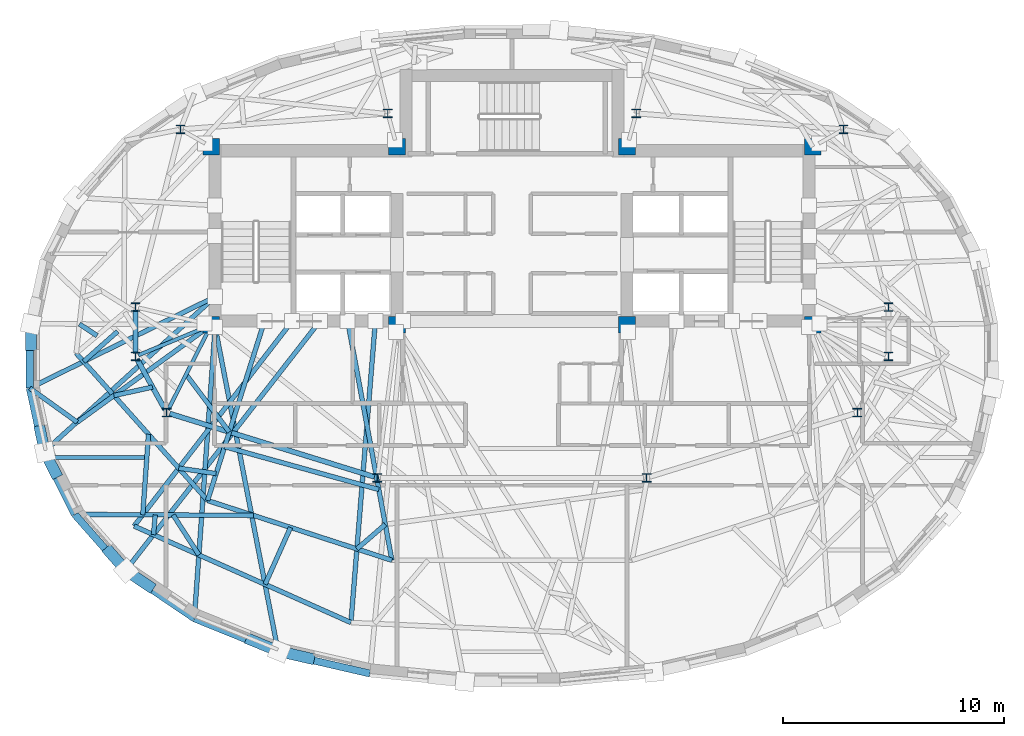
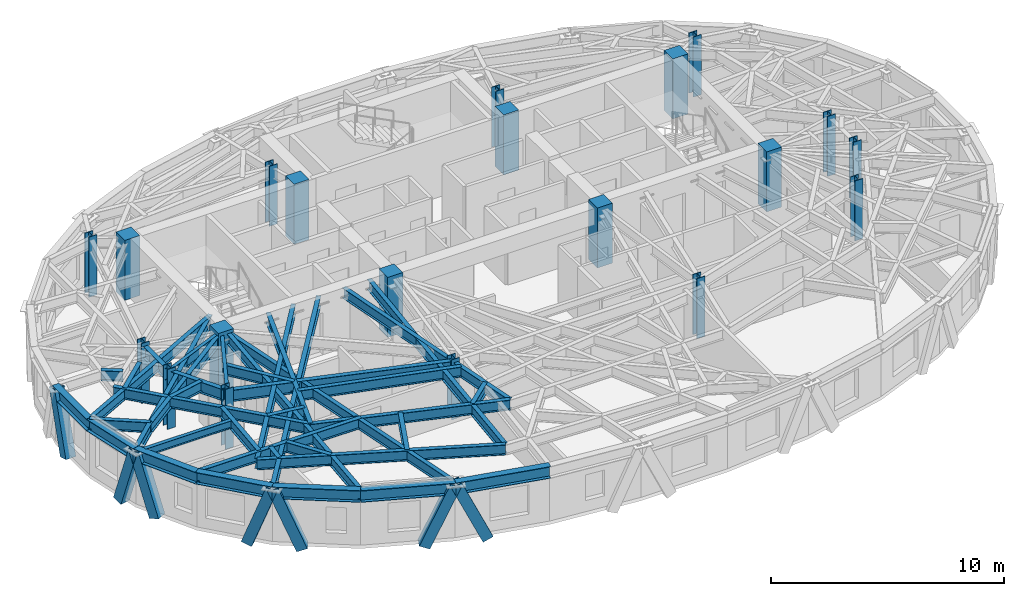
# One storey, part 1 of 13: 39 beams, 20 columns, 7 members.
"""IFC4 building model written with IfcOpenShell, lengths in metres."""

from ifc_helpers import new_model, si_unit, direction, frame, origin, origin_2d, place, context, subcontext, project, spatial, rectangle, hollow_rectangle, i_section, extrude, material, material_profile, profile_set, type_object, element, save


model = new_model("IFC4")

# Units and contexts
model_context = context("Model", 3, precision=1e-05, world=origin(), true_north=direction((0.0, 1.0)))
body_context = subcontext(model_context, "Body", "Model", "MODEL_VIEW")
ifc_project = project(units=[si_unit("LENGTHUNIT", "METRE"), si_unit("AREAUNIT", "SQUARE_METRE"), si_unit("VOLUMEUNIT", "CUBIC_METRE"), si_unit("PLANEANGLEUNIT", "RADIAN"), si_unit("MASSUNIT", "GRAM", prefix="KILO")], contexts=[model_context])

# Site, building, storey
site_placement = place(None, origin())
site = spatial("IfcSite", under=ifc_project, at=site_placement, CompositionType="ELEMENT")
building_placement = place(site_placement, origin())
building = spatial("IfcBuilding", under=site, at=building_placement, Name="Keldmark Tower", CompositionType="ELEMENT")
storey_placement = place(building_placement, frame((0.0, 0.0, 241.5)))
storey = spatial("IfcBuildingStorey", under=building, at=storey_placement, Name="L68", CompositionType="ELEMENT", Elevation=241.5)

# Columns
ifc_material_1 = material(Name="Concrete C50/60", Category="concrete")
ifc_material_profile_1 = material_profile(ifc_material_1, rectangle(XDim=0.75, YDim=0.75, at=origin_2d()), Name="RC750X750")
ifc_profile_set_1 = profile_set([ifc_material_profile_1], Name="Concrete C50/60")
column_type_1 = type_object("IfcColumnType", Name="Core Boundary Column RC750", PredefinedType="PILASTER", material=ifc_profile_set_1)
for number, where, z_axis, x_axis, name in (
    (1, (-13.60009765625, 1.39990234375, 0.0), (0.0, 0.0, 1.0), (1.0, 0.0, 0.0), "L68 Core Boundary Column CC-W1"),
    (2, (-13.60009765625, 9.449951171875, 0.0), (0.0, 0.0, 1.0), (1.0, 0.0, 0.0), "L68 Core Boundary Column CC-W2"),
    (3, (-5.199951171875, 1.39990234375, 0.0), (0.0, 0.0, 1.0), (1.0, 0.0, 0.0), "L68 Core Boundary Column CC-W3"),
    (4, (-5.199951171875, 9.449951171875, 0.0), (0.0, 0.0, 1.0), (1.0, 0.0, 0.0), "L68 Core Boundary Column CC-W4"),
    (5, (5.199951171875, 1.39990234375, 0.0), (0.0, 0.0, 1.0), (1.0, 0.0, 0.0), "L68 Core Boundary Column CC-E1"),
    (6, (5.199951171875, 9.449951171875, 0.0), (0.0, 0.0, 1.0), (1.0, 0.0, 0.0), "L68 Core Boundary Column CC-E2"),
    (7, (13.60009765625, 1.39990234375, 0.0), (0.0, 0.0, 1.0), (1.0, 0.0, 0.0), "L68 Core Boundary Column CC-E3"),
    (8, (13.60009765625, 9.449951171875, 0.0), (0.0, 0.0, 1.0), (1.0, 0.0, 0.0), "L68 Core Boundary Column CC-E4"),
):
    element("IfcColumn", number, at=place(storey_placement, frame(where, z_axis=z_axis, x_axis=x_axis)), inside=storey, type_object=column_type_1, Name=name, PredefinedType="PILASTER", context=body_context, shape_type="SweptSolid", body=[
        extrude(rectangle(XDim=0.75, YDim=0.75, at=origin_2d()), origin(), (0.0, 0.0, 1.0), 3.14990234375),
    ])
ifc_material_2 = material(Name="Steel ASTM A992 Grade 50", Category="steel")
ifc_material_profile_2 = material_profile(ifc_material_2, i_section(OverallWidth=0.39892578125, OverallDepth=0.386962890625, WebThickness=0.02099609375, FlangeThickness=0.033203125, at=origin_2d()), Name="W14X176")
ifc_profile_set_2 = profile_set([ifc_material_profile_2], Name="Steel ASTM A992 Grade 50")
column_type_2 = type_object("IfcColumnType", Name="Tower Gravity Column W14X176", PredefinedType="COLUMN", material=ifc_profile_set_2)
for number, where, z_axis, x_axis, name in (
    (9, (17.025634765625, 2.2080078125, 0.0), (0.0, 0.0, 1.0), (1.0, 0.0, 0.0), "L68 Tower Gravity Column TC-E1"),
    (10, (14.995849609375, 10.24365234375, 0.0), (0.0, 0.0, 1.0), (1.0, 0.0, 0.0), "L68 Tower Gravity Column TC-E4"),
    (11, (5.61865234375, 10.967041015625, 0.0), (0.0, 0.0, 1.0), (1.0, 0.0, 0.0), "L68 Tower Gravity Column TC-N2"),
    (12, (-5.61865234375, 10.967041015625, 0.0), (0.0, 0.0, 1.0), (1.0, 0.0, 0.0), "L68 Tower Gravity Column TC-N1"),
    (13, (-14.995849609375, 10.24365234375, 0.0), (0.0, 0.0, 1.0), (1.0, 0.0, 0.0), "L68 Tower Gravity Column TC-W4"),
    (14, (-17.025634765625, 2.2080078125, 0.0), (0.0, 0.0, 1.0), (1.0, 0.0, 0.0), "L68 Tower Gravity Column TC-W1"),
    (15, (-17.025634765625, -0.02392578125, 0.0), (0.0, 0.0, 1.0), (1.0, 0.0, 0.0), "L68 Tower Gravity Column TC-W5"),
    (16, (-15.6162109375, -2.5673828125, 0.0), (0.0, 0.0, 1.0), (1.0, 0.0, 0.0), "L68 Tower Gravity Column TC-W2"),
    (17, (-6.089599609375, -5.512939453125, 0.0), (0.0, 0.0, 1.0), (1.0, 0.0, 0.0), "L68 Tower Gravity Column TC-W3"),
    (18, (6.089599609375, -5.512939453125, 0.0), (0.0, 0.0, 1.0), (1.0, 0.0, 0.0), "L68 Tower Gravity Column TC-E3"),
    (19, (15.6162109375, -2.5673828125, 0.0), (0.0, 0.0, 1.0), (1.0, 0.0, 0.0), "L68 Tower Gravity Column TC-E2"),
    (20, (17.025634765625, -0.02392578125, 0.0), (0.0, 0.0, 1.0), (1.0, 0.0, 0.0), "L68 Tower Gravity Column TC-E5"),
):
    element("IfcColumn", number, at=place(storey_placement, frame(where, z_axis=z_axis, x_axis=x_axis)), inside=storey, type_object=column_type_2, Name=name, PredefinedType="COLUMN", context=body_context, shape_type="SweptSolid", body=[
        extrude(i_section(OverallWidth=0.39892578125, OverallDepth=0.386962890625, WebThickness=0.02099609375, FlangeThickness=0.033203125, at=origin_2d()), origin(), (0.0, 0.0, 1.0), 3.14990234375),
    ])

# Beam
ifc_material_3 = material(Name="Steel ASTM A992 Grade 50", Category="steel")
ifc_material_profile_3 = material_profile(ifc_material_3, i_section(OverallWidth=0.177978515625, OverallDepth=0.403076171875, WebThickness=0.007568359375, FlangeThickness=0.010986328125, at=origin_2d()), Name="W16X36")
ifc_profile_set_3 = profile_set([ifc_material_profile_3], Name="Steel ASTM A992 Grade 50")
beam_type_1 = type_object("IfcBeamType", Name="Composite Floor Joist W16X36", PredefinedType="JOIST", material=ifc_profile_set_3)
beam_1_placement = place(storey_placement, frame((-20.889404296875, -4.60009765625, 2.7685546875), z_axis=(1.0, 0.0, 0.0), x_axis=(0.0, 1.0, 0.0)))
element("IfcBeam", 21, at=beam_1_placement, inside=storey, type_object=beam_type_1, Name="L68 Composite Floor Joist J03", PredefinedType="JOIST", context=body_context, shape_type="SweptSolid", body=[
    extrude(i_section(OverallWidth=0.177978515625, OverallDepth=0.403076171875, WebThickness=0.007568359375, FlangeThickness=0.010986328125, at=origin_2d()), origin(), (0.0, 0.0, 1.0), 4.277099609375),
])

# Members
ifc_material_4 = material(Name="Steel ASTM A572 Grade 50", Category="steel")
ifc_material_profile_4 = material_profile(ifc_material_4, hollow_rectangle(XDim=0.5, YDim=0.5, WallThickness=0.030029296875, at=origin_2d()), Name="BOX500X500X30")
ifc_profile_set_4 = profile_set([ifc_material_profile_4], Name="Steel ASTM A572 Grade 50")
member_type = type_object("IfcMemberType", Name="Diagrid Upper Brace BOX500X500X30", PredefinedType="BRACE", material=ifc_profile_set_4)
member_1_placement = place(storey_placement, frame((-21.74951171875, 0.4794921875, -0.260009765625), z_axis=(0.0, 0.298074460176, 0.954542621464), x_axis=(-1.0, 0.0, 0.0)))
element("IfcMember", 22, at=member_1_placement, inside=storey, type_object=member_type, Name="L68 Perimeter Diagrid Brace 08B", PredefinedType="BRACE", context=body_context, shape_type="SweptSolid", body=[
    extrude(hollow_rectangle(XDim=0.5, YDim=0.5, WallThickness=0.030029296875, at=origin_2d()), origin(), (0.0, 0.0, 1.0), 3.25830078125),
])
member_2_placement = place(storey_placement, frame((-21.3330078125, -3.384765625, -0.260009765625), z_axis=(0.063809841383, -0.296308067664, 0.952958463512), x_axis=(0.977588814613, 0.210523418042, 0.0)))
element("IfcMember", 23, at=member_2_placement, inside=storey, type_object=member_type, Name="L68 Perimeter Diagrid Brace 09A", PredefinedType="BRACE", context=body_context, shape_type="SweptSolid", body=[
    extrude(hollow_rectangle(XDim=0.5, YDim=0.5, WallThickness=0.030029296875, at=origin_2d()), origin(), (0.0, 0.0, 1.0), 3.263671875),
])
member_3_placement = place(storey_placement, frame((-20.6572265625, -5.27685546875, -0.260009765625), z_axis=(-0.143198761673, 0.285430466774, 0.947641051924), x_axis=(-0.893820706466, -0.448424513929, 0.0)))
element("IfcMember", 24, at=member_3_placement, inside=storey, type_object=member_type, Name="L68 Perimeter Diagrid Brace 09B", PredefinedType="BRACE", context=body_context, shape_type="SweptSolid", body=[
    extrude(hollow_rectangle(XDim=0.5, YDim=0.5, WallThickness=0.030029296875, at=origin_2d()), origin(), (0.0, 0.0, 1.0), 3.281982421875),
])
member_4_placement = place(storey_placement, frame((-18.20849609375, -8.85498046875, -0.260009765625), z_axis=(0.228311749469, -0.258959599672, 0.938516739751), x_axis=(0.750099356508, 0.661325151016, 0.0)))
element("IfcMember", 25, at=member_4_placement, inside=storey, type_object=member_type, Name="L68 Perimeter Diagrid Brace 10A", PredefinedType="BRACE", context=body_context, shape_type="SweptSolid", body=[
    extrude(hollow_rectangle(XDim=0.5, YDim=0.5, WallThickness=0.030029296875, at=origin_2d()), origin(), (0.0, 0.0, 1.0), 3.31396484375),
])
member_5_placement = place(storey_placement, frame((-16.412109375, -10.412841796875, -0.260009765625), z_axis=(-0.311680858126, 0.211326312113, 0.926388812803), x_axis=(-0.56118969734, -0.827687213626, 0.0)))
element("IfcMember", 26, at=member_5_placement, inside=storey, type_object=member_type, Name="L68 Perimeter Diagrid Brace 10B", PredefinedType="BRACE", context=body_context, shape_type="SweptSolid", body=[
    extrude(hollow_rectangle(XDim=0.5, YDim=0.5, WallThickness=0.030029296875, at=origin_2d()), origin(), (0.0, 0.0, 1.0), 3.357177734375),
])
member_6_placement = place(storey_placement, frame((-11.797119140625, -12.849609375, -0.260009765625), z_axis=(0.372536559181, -0.151084670538, 0.915636354893), x_axis=(0.37582546078, 0.926690467756, 0.0)))
element("IfcMember", 27, at=member_6_placement, inside=storey, type_object=member_type, Name="L68 Perimeter Diagrid Brace 11A", PredefinedType="BRACE", context=body_context, shape_type="SweptSolid", body=[
    extrude(hollow_rectangle(XDim=0.5, YDim=0.5, WallThickness=0.030029296875, at=origin_2d()), origin(), (0.0, 0.0, 1.0), 3.396728515625),
])
member_7_placement = place(storey_placement, frame((-9.160400390625, -13.6748046875, -0.260009765625), z_axis=(-0.4040850409, 0.09321742591, 0.909959225036), x_axis=(-0.224784026434, -0.974408611138, 0.0)))
element("IfcMember", 28, at=member_7_placement, inside=storey, type_object=member_type, Name="L68 Perimeter Diagrid Brace 11B", PredefinedType="BRACE", context=body_context, shape_type="SweptSolid", body=[
    extrude(hollow_rectangle(XDim=0.5, YDim=0.5, WallThickness=0.030029296875, at=origin_2d()), origin(), (0.0, 0.0, 1.0), 3.41796875),
])

# Beams
ifc_material_5 = material(Name="Steel ASTM A992 Grade 50", Category="steel")
ifc_material_profile_5 = material_profile(ifc_material_5, i_section(OverallWidth=0.22802734375, OverallDepth=0.60302734375, WebThickness=0.010498046875, FlangeThickness=0.014892578125, at=origin_2d()), Name="W24X68")
ifc_profile_set_5 = profile_set([ifc_material_profile_5], Name="Steel ASTM A992 Grade 50")
beam_type_2 = type_object("IfcBeamType", Name="Primary Floor Girder W24X68", PredefinedType="BEAM", material=ifc_profile_set_5)
beam_2_placement = place(storey_placement, frame((-17.025634765625, 2.068115234375, 2.66845703125), z_axis=(0.0, -1.0, 0.0), x_axis=(1.0, 0.0, 0.0)))
element("IfcBeam", 29, at=beam_2_placement, inside=storey, type_object=beam_type_2, Name="L68 Floor Ring Girder FG-R06", PredefinedType="BEAM", context=body_context, shape_type="SweptSolid", body=[
    extrude(i_section(OverallWidth=0.22802734375, OverallDepth=0.60302734375, WebThickness=0.010498046875, FlangeThickness=0.014892578125, at=origin_2d()), origin(), (0.0, 0.0, 1.0), 1.9521484375),
])
beam_3_placement = place(storey_placement, frame((-16.957763671875, -0.146484375, 2.66845703125), z_axis=(0.484719680408, -0.874669555561, 0.0), x_axis=(0.874669555561, 0.484719680408, 0.0)))
element("IfcBeam", 30, at=beam_3_placement, inside=storey, type_object=beam_type_2, Name="L68 Floor Ring Girder FG-R07", PredefinedType="BEAM", context=body_context, shape_type="SweptSolid", body=[
    extrude(i_section(OverallWidth=0.22802734375, OverallDepth=0.60302734375, WebThickness=0.010498046875, FlangeThickness=0.014892578125, at=origin_2d()), origin(), (0.0, 0.0, 1.0), 2.627685546875),
])
beam_4_placement = place(storey_placement, frame((-15.482421875, -2.60888671875, 2.66845703125), z_axis=(0.955383255089, -0.295368982622, 0.0), x_axis=(0.295368982622, 0.955383255089, 0.0)))
element("IfcBeam", 31, at=beam_4_placement, inside=storey, type_object=beam_type_2, Name="L68 Floor Ring Girder FG-R08", PredefinedType="BEAM", context=body_context, shape_type="SweptSolid", body=[
    extrude(i_section(OverallWidth=0.22802734375, OverallDepth=0.60302734375, WebThickness=0.010498046875, FlangeThickness=0.014892578125, at=origin_2d()), origin(), (0.0, 0.0, 1.0), 9.69140625),
])
ifc_material_6 = material(Name="Steel ASTM A992 Grade 50", Category="steel")
ifc_material_profile_6 = material_profile(ifc_material_6, i_section(OverallWidth=0.166015625, OverallDepth=0.529052734375, WebThickness=0.009765625, FlangeThickness=0.013671875, at=origin_2d()), Name="W21X50")
ifc_profile_set_6 = profile_set([ifc_material_profile_6], Name="Steel ASTM A992 Grade 50")
beam_type_3 = type_object("IfcBeamType", Name="Radial Tie Girder W21X50", PredefinedType="BEAM", material=ifc_profile_set_6)
beam_5_placement = place(storey_placement, frame((-16.896240234375, 0.02978515625, 2.70556640625), z_axis=(0.923403331902, 0.383831065226, 0.0), x_axis=(-0.383831065226, 0.923403331902, 0.0)))
element("IfcBeam", 32, at=beam_5_placement, inside=storey, type_object=beam_type_3, Name="L68 Floor Radial Girder FG-C07", PredefinedType="BEAM", context=body_context, shape_type="SweptSolid", body=[
    extrude(i_section(OverallWidth=0.166015625, OverallDepth=0.529052734375, WebThickness=0.009765625, FlangeThickness=0.013671875, at=origin_2d()), origin(), (0.0, 0.0, 1.0), 3.249755859375),
])
beam_6_placement = place(storey_placement, frame((-15.552734375, -2.442626953125, 2.70556640625), z_axis=(0.453004410574, 0.89150827478, 0.0), x_axis=(-0.89150827478, 0.453004410574, 0.0)))
element("IfcBeam", 33, at=beam_6_placement, inside=storey, type_object=beam_type_3, Name="L68 Floor Radial Girder FG-C08", PredefinedType="BEAM", context=body_context, shape_type="SweptSolid", body=[
    extrude(i_section(OverallWidth=0.166015625, OverallDepth=0.529052734375, WebThickness=0.009765625, FlangeThickness=0.013671875, at=origin_2d()), origin(), (0.0, 0.0, 1.0), 3.990234375),
])
ifc_material_7 = material(Name="Steel ASTM A992 Grade 50", Category="steel")
ifc_material_profile_7 = material_profile(ifc_material_7, i_section(OverallWidth=0.2099609375, OverallDepth=0.537109375, WebThickness=0.010986328125, FlangeThickness=0.017333984375, at=origin_2d()), Name="W21X68")
ifc_profile_set_7 = profile_set([ifc_material_profile_7], Name="Steel ASTM A992 Grade 50")
beam_type_4 = type_object("IfcBeamType", Name="Radial Tie Girder W21X68", PredefinedType="BEAM", material=ifc_profile_set_7)
beam_7_placement = place(storey_placement, frame((-14.7392578125, -0.841796875, 2.701416015625), z_axis=(0.600792057917, -0.799405343455, 0.0), x_axis=(0.799405343455, 0.600792057917, 0.0)))
element("IfcBeam", 34, at=beam_7_placement, inside=storey, type_object=beam_type_4, Name="L68 Framing Pin Header PH-002", PredefinedType="BEAM", context=body_context, shape_type="SweptSolid", body=[
    extrude(i_section(OverallWidth=0.2099609375, OverallDepth=0.537109375, WebThickness=0.010986328125, FlangeThickness=0.017333984375, at=origin_2d()), origin(), (0.0, 0.0, 1.0), 3.253662109375),
])
beam_8_placement = place(storey_placement, frame((-11.19287109375, 1.574951171875, 2.701416015625), z_axis=(-0.3023360028, -0.953201417021, 0.0), x_axis=(0.953201417021, -0.3023360028, 0.0)))
element("IfcBeam", 35, at=beam_8_placement, inside=storey, type_object=beam_type_4, Name="L68 Sub-Ring Step Girder STP1-M08", PredefinedType="BEAM", context=body_context, shape_type="SweptSolid", body=[
    extrude(i_section(OverallWidth=0.2099609375, OverallDepth=0.537109375, WebThickness=0.010986328125, FlangeThickness=0.017333984375, at=origin_2d()), origin(), (0.0, 0.0, 1.0), 8.514404296875),
])
beam_9_placement = place(storey_placement, frame((-12.994873046875, -4.106201171875, 2.701416015625), z_axis=(0.963443920859, -0.267910080735, 0.0), x_axis=(0.267910080735, 0.963443920859, 0.0)))
element("IfcBeam", 36, at=beam_9_placement, inside=storey, type_object=beam_type_4, Name="L68 Framing Pin Header PH-003", PredefinedType="BEAM", context=body_context, shape_type="SweptSolid", body=[
    extrude(i_section(OverallWidth=0.2099609375, OverallDepth=0.537109375, WebThickness=0.010986328125, FlangeThickness=0.017333984375, at=origin_2d()), origin(), (0.0, 0.0, 1.0), 7.236572265625),
])
beam_10_placement = place(storey_placement, frame((-7.43212890625, 1.574951171875, 2.701416015625), z_axis=(0.181862035839, -0.983324056413, 0.0), x_axis=(0.983324056413, 0.181862035839, 0.0)))
element("IfcBeam", 37, at=beam_10_placement, inside=storey, type_object=beam_type_4, Name="L68 Sub-Ring Step Girder STP1-M09", PredefinedType="BEAM", context=body_context, shape_type="SweptSolid", body=[
    extrude(i_section(OverallWidth=0.2099609375, OverallDepth=0.537109375, WebThickness=0.010986328125, FlangeThickness=0.017333984375, at=origin_2d()), origin(), (0.0, 0.0, 1.0), 11.004150390625),
])
beam_11_placement = place(storey_placement, frame((-19.709228515625, 0.118896484375, 2.701416015625), z_axis=(0.665753182489, -0.746172031107, 0.0), x_axis=(0.746172031107, 0.665753182489, 0.0)))
element("IfcBeam", 38, at=beam_11_placement, inside=storey, type_object=beam_type_4, Name="L68 Perimeter Collector Ring Beam CRG1-M07", PredefinedType="BEAM", context=body_context, shape_type="SweptSolid", body=[
    extrude(i_section(OverallWidth=0.2099609375, OverallDepth=0.537109375, WebThickness=0.010986328125, FlangeThickness=0.017333984375, at=origin_2d()), origin(), (0.0, 0.0, 1.0), 8.925537109375),
])
beam_12_placement = place(storey_placement, frame((-13.76708984375, -6.541015625, 2.701416015625), z_axis=(0.951190555886, -0.308604158094, 0.0), x_axis=(0.308604158094, 0.951190555886, 0.0)))
element("IfcBeam", 39, at=beam_12_placement, inside=storey, type_object=beam_type_4, Name="L68 Perimeter Collector Ring Beam CRG1-M08", PredefinedType="BEAM", context=body_context, shape_type="SweptSolid", body=[
    extrude(i_section(OverallWidth=0.2099609375, OverallDepth=0.537109375, WebThickness=0.010986328125, FlangeThickness=0.017333984375, at=origin_2d()), origin(), (0.0, 0.0, 1.0), 8.763916015625),
])
beam_13_placement = place(storey_placement, frame((-13.381103515625, -5.323486328125, 2.701416015625), z_axis=(-0.989621184917, 0.143700766747, 0.0), x_axis=(-0.143700766747, -0.989621184917, 0.0)))
element("IfcBeam", 40, at=beam_13_placement, inside=storey, type_object=beam_type_4, Name="L68 Framing Pin Header PH-008", PredefinedType="BEAM", context=body_context, shape_type="SweptSolid", body=[
    extrude(i_section(OverallWidth=0.2099609375, OverallDepth=0.537109375, WebThickness=0.010986328125, FlangeThickness=0.017333984375, at=origin_2d()), origin(), (0.0, 0.0, 1.0), 1.709228515625),
])
beam_14_placement = place(storey_placement, frame((-9.939208984375, 1.574951171875, 2.701416015625), z_axis=(-0.610875902906, -0.791726361345, 0.0), x_axis=(0.791726361345, -0.610875902906, 0.0)))
element("IfcBeam", 41, at=beam_14_placement, inside=storey, type_object=beam_type_4, Name="L68 Sub-Ring Step Girder STP2-M08", PredefinedType="BEAM", context=body_context, shape_type="SweptSolid", body=[
    extrude(i_section(OverallWidth=0.2099609375, OverallDepth=0.537109375, WebThickness=0.010986328125, FlangeThickness=0.017333984375, at=origin_2d()), origin(), (0.0, 0.0, 1.0), 11.70947265625),
])
beam_15_placement = place(storey_placement, frame((-5.731201171875, -7.622314453125, 2.701416015625), z_axis=(-0.756486336997, -0.654009496825, 0.0), x_axis=(0.654009496825, -0.756486336997, 0.0)))
element("IfcBeam", 42, at=beam_15_placement, inside=storey, type_object=beam_type_4, Name="L68 Framing Pin Header PH-009", PredefinedType="BEAM", context=body_context, shape_type="SweptSolid", body=[
    extrude(i_section(OverallWidth=0.2099609375, OverallDepth=0.537109375, WebThickness=0.010986328125, FlangeThickness=0.017333984375, at=origin_2d()), origin(), (0.0, 0.0, 1.0), 1.6962890625),
])
beam_16_placement = place(storey_placement, frame((-6.1787109375, 1.574951171875, 2.701416015625), z_axis=(-0.080804848006, -0.996729941628, 0.0), x_axis=(0.996729941628, -0.080804848006, 0.0)))
element("IfcBeam", 43, at=beam_16_placement, inside=storey, type_object=beam_type_4, Name="L68 Sub-Ring Step Girder STP2-M09", PredefinedType="BEAM", context=body_context, shape_type="SweptSolid", body=[
    extrude(i_section(OverallWidth=0.2099609375, OverallDepth=0.537109375, WebThickness=0.010986328125, FlangeThickness=0.017333984375, at=origin_2d()), origin(), (0.0, 0.0, 1.0), 13.6806640625),
])
beam_17_placement = place(storey_placement, frame((-17.09228515625, -7.69580078125, 2.701416015625), z_axis=(0.913601364177, -0.406611051712, 0.0), x_axis=(0.406611051712, 0.913601364177, 0.0)))
element("IfcBeam", 44, at=beam_17_placement, inside=storey, type_object=beam_type_4, Name="L68 Perimeter Collector Ring Beam CRG2-M08", PredefinedType="BEAM", context=body_context, shape_type="SweptSolid", body=[
    extrude(i_section(OverallWidth=0.2099609375, OverallDepth=0.537109375, WebThickness=0.010986328125, FlangeThickness=0.017333984375, at=origin_2d()), origin(), (0.0, 0.0, 1.0), 10.735595703125),
])
beam_18_placement = place(storey_placement, frame((-18.7666015625, 0.914794921875, 2.701416015625), z_axis=(-0.834169309851, 0.551508442821, 0.0), x_axis=(-0.551508442821, -0.834169309851, 0.0)))
element("IfcBeam", 45, at=beam_18_placement, inside=storey, type_object=beam_type_4, Name="L68 Framing Pin Header PH-020", PredefinedType="BEAM", context=body_context, shape_type="SweptSolid", body=[
    extrude(i_section(OverallWidth=0.2099609375, OverallDepth=0.537109375, WebThickness=0.010986328125, FlangeThickness=0.017333984375, at=origin_2d()), origin(), (0.0, 0.0, 1.0), 0.954345703125),
])
beam_19_placement = place(storey_placement, frame((-17.83837890625, 1.106689453125, 2.701416015625), z_axis=(-0.74788137502, -0.663832395186, 0.0), x_axis=(0.663832395186, -0.74788137502, 0.0)))
element("IfcBeam", 46, at=beam_19_placement, inside=storey, type_object=beam_type_4, Name="L68 Framing Pin Header PH-021", PredefinedType="BEAM", context=body_context, shape_type="SweptSolid", body=[
    extrude(i_section(OverallWidth=0.2099609375, OverallDepth=0.537109375, WebThickness=0.010986328125, FlangeThickness=0.017333984375, at=origin_2d()), origin(), (0.0, 0.0, 1.0), 2.0537109375),
])
beam_20_placement = place(storey_placement, frame((-13.425048828125, 2.675048828125, 2.701416015625), z_axis=(-0.897003254377, -0.442023937855, 0.0), x_axis=(0.442023937855, -0.897003254377, 0.0)))
element("IfcBeam", 47, at=beam_20_placement, inside=storey, type_object=beam_type_4, Name="L68 Perimeter Radial Tie Girder RT-17", PredefinedType="BEAM", context=body_context, shape_type="SweptSolid", body=[
    extrude(i_section(OverallWidth=0.2099609375, OverallDepth=0.537109375, WebThickness=0.010986328125, FlangeThickness=0.017333984375, at=origin_2d()), origin(), (0.0, 0.0, 1.0), 9.346923828125),
])
beam_21_placement = place(storey_placement, frame((-16.257080078125, -1.41064453125, 2.701416015625), z_axis=(-0.976631849806, -0.214919124195, 0.0), x_axis=(0.214919124195, -0.976631849806, 0.0)))
element("IfcBeam", 48, at=beam_21_placement, inside=storey, type_object=beam_type_4, Name="L68 Framing Pin Header PH-022", PredefinedType="BEAM", context=body_context, shape_type="SweptSolid", body=[
    extrude(i_section(OverallWidth=0.2099609375, OverallDepth=0.537109375, WebThickness=0.010986328125, FlangeThickness=0.017333984375, at=origin_2d()), origin(), (0.0, 0.0, 1.0), 1.786865234375),
])
beam_22_placement = place(storey_placement, frame((-13.60009765625, 1.39990234375, 2.701416015625), z_axis=(-0.809347410598, -0.587330204364, 0.0), x_axis=(0.587330204364, -0.809347410598, 0.0)))
element("IfcBeam", 49, at=beam_22_placement, inside=storey, type_object=beam_type_4, Name="L68 Intermediate Radial Step Girder RT-18M", PredefinedType="BEAM", context=body_context, shape_type="SweptSolid", body=[
    extrude(i_section(OverallWidth=0.2099609375, OverallDepth=0.537109375, WebThickness=0.010986328125, FlangeThickness=0.017333984375, at=origin_2d()), origin(), (0.0, 0.0, 1.0), 7.48974609375),
])
beam_23_placement = place(storey_placement, frame((-21.809326171875, -1.45654296875, 2.701416015625), z_axis=(0.812195844411, -0.583384873237, 0.0), x_axis=(0.583384873237, 0.812195844411, 0.0)))
element("IfcBeam", 50, at=beam_23_placement, inside=storey, type_object=beam_type_4, Name="L68 Local Collector Chord RT-18C", PredefinedType="BEAM", context=body_context, shape_type="SweptSolid", body=[
    extrude(i_section(OverallWidth=0.2099609375, OverallDepth=0.537109375, WebThickness=0.010986328125, FlangeThickness=0.017333984375, at=origin_2d()), origin(), (0.0, 0.0, 1.0), 2.64404296875),
])
beam_24_placement = place(storey_placement, frame((-13.425048828125, 2.675048828125, 2.701416015625), z_axis=(-0.740956137534, -0.671553424718, 0.0), x_axis=(0.671553424718, -0.740956137534, 0.0)))
element("IfcBeam", 51, at=beam_24_placement, inside=storey, type_object=beam_type_4, Name="L68 Perimeter Radial Tie Girder RT-18", PredefinedType="BEAM", context=body_context, shape_type="SweptSolid", body=[
    extrude(i_section(OverallWidth=0.2099609375, OverallDepth=0.537109375, WebThickness=0.010986328125, FlangeThickness=0.017333984375, at=origin_2d()), origin(), (0.0, 0.0, 1.0), 10.472412109375),
])
beam_25_placement = place(storey_placement, frame((-16.441162109375, -3.5439453125, 2.701416015625), z_axis=(-0.070672101234, -0.997499601056, 0.0), x_axis=(0.997499601056, -0.070672101234, 0.0)))
element("IfcBeam", 52, at=beam_25_placement, inside=storey, type_object=beam_type_4, Name="L68 Framing Pin Header PH-023", PredefinedType="BEAM", context=body_context, shape_type="SweptSolid", body=[
    extrude(i_section(OverallWidth=0.2099609375, OverallDepth=0.537109375, WebThickness=0.010986328125, FlangeThickness=0.017333984375, at=origin_2d()), origin(), (0.0, 0.0, 1.0), 3.6513671875),
])
beam_26_placement = place(storey_placement, frame((-11.68310546875, -7.217041015625, 2.701416015625), z_axis=(-0.999981057628, 0.00615502929, 0.0), x_axis=(-0.00615502929, -0.999981057628, 0.0)))
element("IfcBeam", 53, at=beam_26_placement, inside=storey, type_object=beam_type_4, Name="L68 Perimeter Radial Tie Girder RT-19", PredefinedType="BEAM", context=body_context, shape_type="SweptSolid", body=[
    extrude(i_section(OverallWidth=0.2099609375, OverallDepth=0.537109375, WebThickness=0.010986328125, FlangeThickness=0.017333984375, at=origin_2d()), origin(), (0.0, 0.0, 1.0), 8.091796875),
])
beam_27_placement = place(storey_placement, frame((-16.133544921875, -7.189697265625, 2.701416015625), z_axis=(-0.090315656941, -0.995913190048, 0.0), x_axis=(0.995913190048, -0.090315656941, 0.0)))
element("IfcBeam", 54, at=beam_27_placement, inside=storey, type_object=beam_type_4, Name="L68 Framing Pin Header PH-024", PredefinedType="BEAM", context=body_context, shape_type="SweptSolid", body=[
    extrude(i_section(OverallWidth=0.2099609375, OverallDepth=0.537109375, WebThickness=0.010986328125, FlangeThickness=0.017333984375, at=origin_2d()), origin(), (0.0, 0.0, 1.0), 0.900146484375),
])
beam_28_placement = place(storey_placement, frame((-8.685791015625, 1.574951171875, 2.701416015625), z_axis=(-0.614697840176, -0.78876267995, 0.0), x_axis=(0.78876267995, -0.614697840176, 0.0)))
element("IfcBeam", 55, at=beam_28_placement, inside=storey, type_object=beam_type_4, Name="L68 Perimeter Radial Tie Girder RT-20", PredefinedType="BEAM", context=body_context, shape_type="SweptSolid", body=[
    extrude(i_section(OverallWidth=0.2099609375, OverallDepth=0.537109375, WebThickness=0.010986328125, FlangeThickness=0.017333984375, at=origin_2d()), origin(), (0.0, 0.0, 1.0), 14.346923828125),
])
beam_29_placement = place(storey_placement, frame((-15.324462890625, -7.194580078125, 2.701416015625), z_axis=(0.541624604309, -0.840620477985, 0.0), x_axis=(0.840620477985, 0.541624604309, 0.0)))
element("IfcBeam", 56, at=beam_29_placement, inside=storey, type_object=beam_type_4, Name="L68 Framing Pin Header PH-025", PredefinedType="BEAM", context=body_context, shape_type="SweptSolid", body=[
    extrude(i_section(OverallWidth=0.2099609375, OverallDepth=0.537109375, WebThickness=0.010986328125, FlangeThickness=0.017333984375, at=origin_2d()), origin(), (0.0, 0.0, 1.0), 2.148193359375),
])
beam_30_placement = place(storey_placement, frame((-13.425048828125, 1.300048828125, 2.701416015625), z_axis=(-0.071261504304, -0.997457667274, 0.0), x_axis=(0.997457667274, -0.071261504304, 0.0)))
element("IfcBeam", 57, at=beam_30_placement, inside=storey, type_object=beam_type_4, Name="L68 Perimeter Radial Tie Girder RT-21", PredefinedType="BEAM", context=body_context, shape_type="SweptSolid", body=[
    extrude(i_section(OverallWidth=0.2099609375, OverallDepth=0.537109375, WebThickness=0.010986328125, FlangeThickness=0.017333984375, at=origin_2d()), origin(), (0.0, 0.0, 1.0), 13.20361328125),
])
beam_31_placement = place(storey_placement, frame((-10.015869140625, -7.758056640625, 2.701416015625), z_axis=(-0.40812120546, -0.912927752702, 0.0), x_axis=(0.912927752702, -0.40812120546, 0.0)))
element("IfcBeam", 58, at=beam_31_placement, inside=storey, type_object=beam_type_4, Name="L68 Framing Pin Header PH-026", PredefinedType="BEAM", context=body_context, shape_type="SweptSolid", body=[
    extrude(i_section(OverallWidth=0.2099609375, OverallDepth=0.537109375, WebThickness=0.010986328125, FlangeThickness=0.017333984375, at=origin_2d()), origin(), (0.0, 0.0, 1.0), 2.820556640625),
])
beam_32_placement = place(storey_placement, frame((-13.425048828125, 1.300048828125, 2.701416015625), z_axis=(0.1905543397, -0.981676649219, 0.0), x_axis=(0.981676649219, 0.1905543397, 0.0)))
element("IfcBeam", 59, at=beam_32_placement, inside=storey, type_object=beam_type_4, Name="L68 Perimeter Radial Tie Girder RT-22", PredefinedType="BEAM", context=body_context, shape_type="SweptSolid", body=[
    extrude(i_section(OverallWidth=0.2099609375, OverallDepth=0.537109375, WebThickness=0.010986328125, FlangeThickness=0.017333984375, at=origin_2d()), origin(), (0.0, 0.0, 1.0), 14.98388671875),
])
ifc_material_8 = material(Name="Steel ASTM A992 Grade 50", Category="steel")
ifc_material_profile_8 = material_profile(ifc_material_8, i_section(OverallWidth=0.326904296875, OverallDepth=0.6220703125, WebThickness=0.015380859375, FlangeThickness=0.0244140625, at=origin_2d()), Name="W24X131")
ifc_profile_set_8 = profile_set([ifc_material_profile_8], Name="Steel ASTM A992 Grade 50")
beam_type_5 = type_object("IfcBeamType", Name="Spandrel Ring Beam W24X131", PredefinedType="SPANDREL", material=ifc_profile_set_8)
beam_33_placement = place(storey_placement, frame((-21.809326171875, 1.45654296875, 2.658935546875), z_axis=(0.0, -1.0, 0.0), x_axis=(1.0, 0.0, 0.0)))
element("IfcBeam", 60, at=beam_33_placement, inside=storey, type_object=beam_type_5, Name="L68 Perimeter Spandrel Ring Beam SRB-16", PredefinedType="SPANDREL", context=body_context, shape_type="SweptSolid", body=[
    extrude(i_section(OverallWidth=0.326904296875, OverallDepth=0.6220703125, WebThickness=0.015380859375, FlangeThickness=0.0244140625, at=origin_2d()), origin(), (0.0, 0.0, 1.0), 2.9130859375),
])
beam_34_placement = place(storey_placement, frame((-21.809326171875, -1.45654296875, 2.658935546875), z_axis=(0.210523418042, -0.977588814613, 0.0), x_axis=(0.977588814613, 0.210523418042, 0.0)))
element("IfcBeam", 61, at=beam_34_placement, inside=storey, type_object=beam_type_5, Name="L68 Perimeter Spandrel Ring Beam SRB-17", PredefinedType="SPANDREL", context=body_context, shape_type="SweptSolid", body=[
    extrude(i_section(OverallWidth=0.326904296875, OverallDepth=0.6220703125, WebThickness=0.015380859375, FlangeThickness=0.0244140625, at=origin_2d()), origin(), (0.0, 0.0, 1.0), 2.967529296875),
])
beam_35_placement = place(storey_placement, frame((-21.1845703125, -4.357666015625, 2.658935546875), z_axis=(0.448517898993, -0.89377384963, 0.0), x_axis=(0.89377384963, 0.448517898993, 0.0)))
element("IfcBeam", 62, at=beam_35_placement, inside=storey, type_object=beam_type_5, Name="L68 Perimeter Spandrel Ring Beam SRB-18", PredefinedType="SPANDREL", context=body_context, shape_type="SweptSolid", body=[
    extrude(i_section(OverallWidth=0.326904296875, OverallDepth=0.6220703125, WebThickness=0.015380859375, FlangeThickness=0.0244140625, at=origin_2d()), origin(), (0.0, 0.0, 1.0), 3.1435546875),
])
beam_36_placement = place(storey_placement, frame((-19.774658203125, -7.167236328125, 2.658935546875), z_axis=(0.66136043846, -0.750068243855, 0.0), x_axis=(0.750068243855, 0.66136043846, 0.0)))
element("IfcBeam", 63, at=beam_36_placement, inside=storey, type_object=beam_type_5, Name="L68 Perimeter Spandrel Ring Beam SRB-19", PredefinedType="SPANDREL", context=body_context, shape_type="SweptSolid", body=[
    extrude(i_section(OverallWidth=0.326904296875, OverallDepth=0.6220703125, WebThickness=0.015380859375, FlangeThickness=0.0244140625, at=origin_2d()), origin(), (0.0, 0.0, 1.0), 3.431884765625),
])
beam_37_placement = place(storey_placement, frame((-17.5048828125, -9.741455078125, 2.658935546875), z_axis=(0.827637036896, -0.561263694851, 0.0), x_axis=(0.561263694851, 0.827637036896, 0.0)))
element("IfcBeam", 64, at=beam_37_placement, inside=storey, type_object=beam_type_5, Name="L68 Perimeter Spandrel Ring Beam SRB-20", PredefinedType="SPANDREL", context=body_context, shape_type="SweptSolid", body=[
    extrude(i_section(OverallWidth=0.326904296875, OverallDepth=0.6220703125, WebThickness=0.015380859375, FlangeThickness=0.0244140625, at=origin_2d()), origin(), (0.0, 0.0, 1.0), 3.792724609375),
])
beam_38_placement = place(storey_placement, frame((-14.365966796875, -11.8701171875, 2.658935546875), z_axis=(0.926731976866, -0.375723093586, 0.0), x_axis=(0.375723093586, 0.926731976866, 0.0)))
element("IfcBeam", 65, at=beam_38_placement, inside=storey, type_object=beam_type_5, Name="L68 Perimeter Spandrel Ring Beam SRB-21", PredefinedType="SPANDREL", context=body_context, shape_type="SweptSolid", body=[
    extrude(i_section(OverallWidth=0.326904296875, OverallDepth=0.6220703125, WebThickness=0.015380859375, FlangeThickness=0.0244140625, at=origin_2d()), origin(), (0.0, 0.0, 1.0), 4.09619140625),
])
beam_39_placement = place(storey_placement, frame((-10.56982421875, -13.4091796875, 2.658935546875), z_axis=(0.974411512007, -0.224771451185, 0.0), x_axis=(0.224771451185, 0.974411512007, 0.0)))
element("IfcBeam", 66, at=beam_39_placement, inside=storey, type_object=beam_type_5, Name="L68 Perimeter Spandrel Ring Beam SRB-22", PredefinedType="SPANDREL", context=body_context, shape_type="SweptSolid", body=[
    extrude(i_section(OverallWidth=0.326904296875, OverallDepth=0.6220703125, WebThickness=0.015380859375, FlangeThickness=0.0244140625, at=origin_2d()), origin(), (0.0, 0.0, 1.0), 4.25244140625),
])

save(model, "model.ifc")
